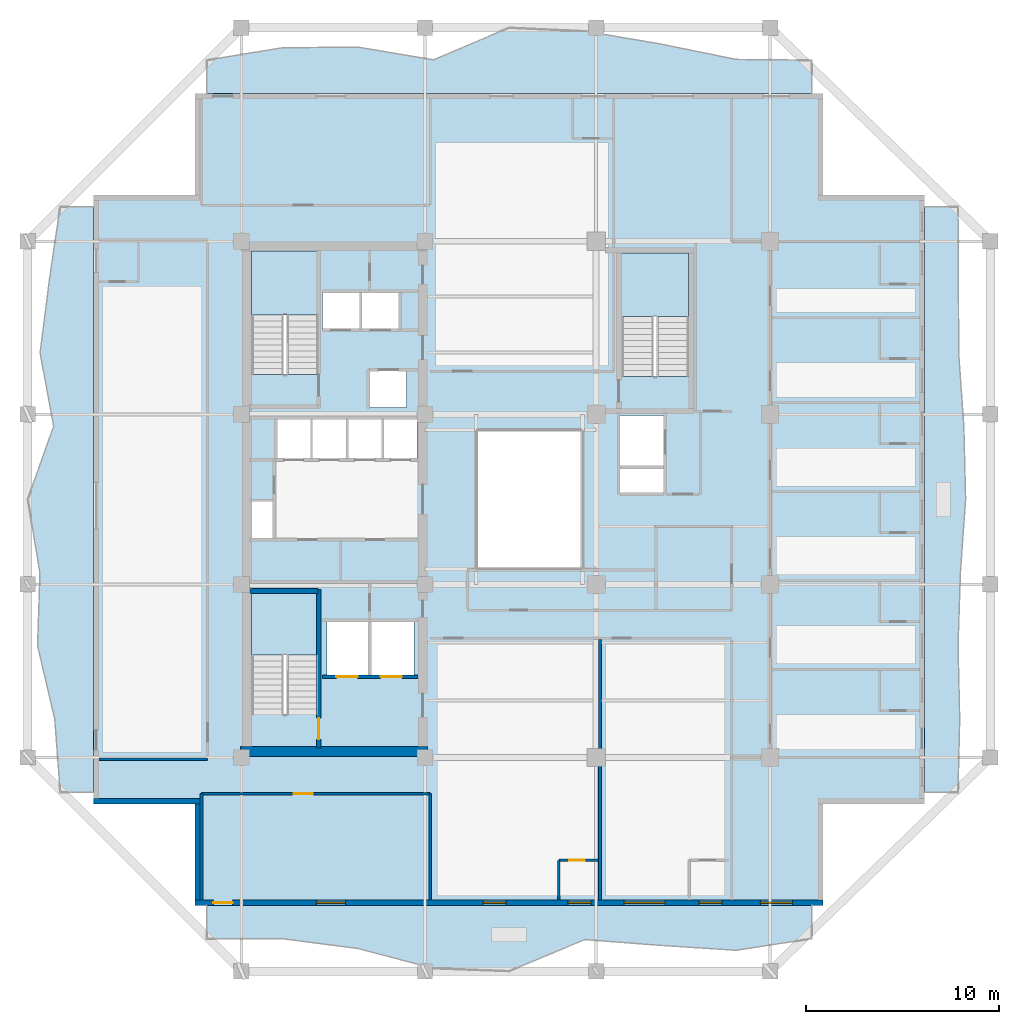
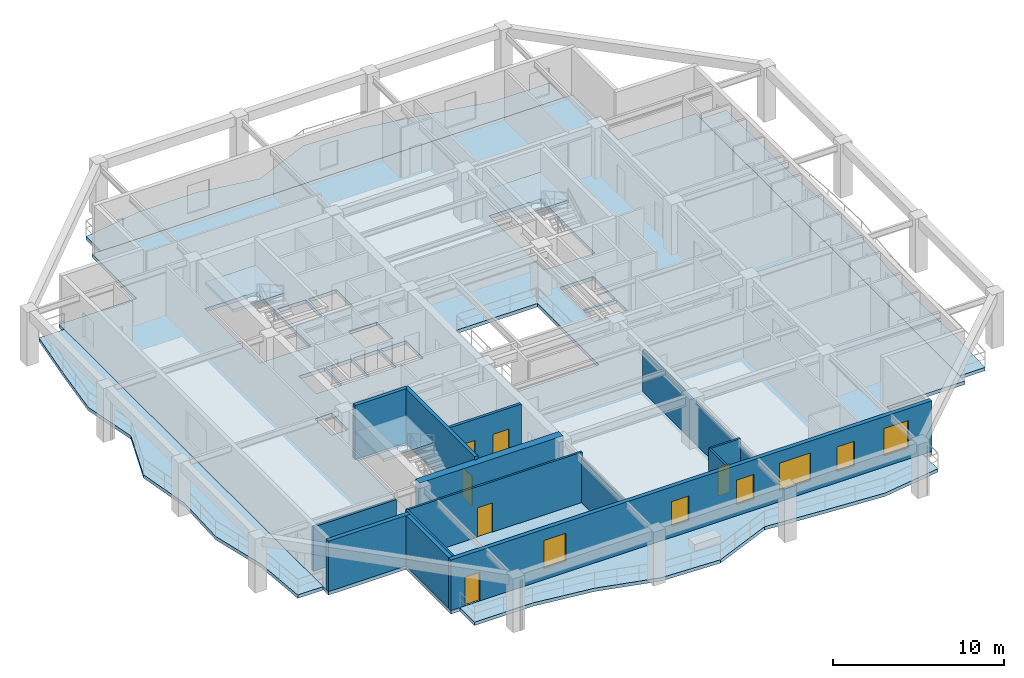
# One storey, part 2 of 13: 14 walls, 8 slabs, 6 doors, 6 windows, 12 openings, 3 elements without a shape of their own.
"""IFC4 building model written with IfcOpenShell, lengths in metres."""

from ifc_helpers import new_model, si_unit, direction, frame, frame_2d, origin, place, context, subcontext, project, spatial, polyline, rectangle, outline, extrude, material, layer, layer_set, type_object, element, fill, aggregate, save


model = new_model("IFC4")

# Units and contexts
model_context = context("Model", 3, precision=1e-05, world=origin(), true_north=direction((0.0, 1.0)))
body_context = subcontext(model_context, "Body", "Model", "MODEL_VIEW")
ifc_project = project(units=[si_unit("LENGTHUNIT", "METRE"), si_unit("AREAUNIT", "SQUARE_METRE"), si_unit("VOLUMEUNIT", "CUBIC_METRE"), si_unit("PLANEANGLEUNIT", "RADIAN"), si_unit("MASSUNIT", "GRAM", prefix="KILO")], contexts=[model_context])

# Site, building, storey
site_placement = place(None, origin())
site = spatial("IfcSite", under=ifc_project, at=site_placement, CompositionType="ELEMENT")
building_placement = place(site_placement, origin())
building = spatial("IfcBuilding", under=site, at=building_placement, Name="Kundavana Baori Tower", CompositionType="ELEMENT")
storey_placement = place(building_placement, frame((0.0, 0.0, 188.699951171875)))
storey = spatial("IfcBuildingStorey", under=building, at=storey_placement, Name="L46", CompositionType="ELEMENT", Elevation=188.699951171875)

# Slab
ifc_material_1 = material(Name="Concrete C40/50", Category="concrete")
ifc_layer_1 = layer(ifc_material_1, 0.25, Name="SLB-FLR-250")
ifc_layer_set_1 = layer_set([ifc_layer_1], Name="Concrete C40/50")
slab_type_1 = type_object("IfcSlabType", Name="SLB-FLR-250", PredefinedType="FLOOR", material=ifc_layer_set_1)
slab_1_placement = place(storey_placement, frame((0.0, 0.0, -0.25)))
element("IfcSlab", 1, at=slab_1_placement, inside=storey, type_object=slab_type_1, Name="L46 Structural Floor Slab", PredefinedType="FLOOR", context=body_context, shape_type="SweptSolid", body=[
    extrude(outline(polyline([(13.050048828125, 7.60009765625), (45.550048828125, 7.60009765625), (45.550048828125, 12.85009765625), (50.800048828125, 12.85009765625), (50.800048828125, 44.35009765625), (45.550048828125, 44.35009765625), (45.550048828125, 49.60009765625), (13.050048828125, 49.60009765625), (13.050048828125, 44.35009765625), (7.800048828125, 44.35009765625), (7.800048828125, 12.85009765625), (13.050048828125, 12.85009765625), (13.050048828125, 7.60009765625)]), holes=[polyline([(19.43994140625, 17.4619140625), (19.43994140625, 23.85009765625), (15.97998046875, 23.85009765625), (15.97998046875, 17.4619140625), (19.43994140625, 17.4619140625)]), polyline([(19.43994140625, 35.06201171875), (19.43994140625, 41.449951171875), (15.97998046875, 41.449951171875), (15.97998046875, 35.06201171875), (19.43994140625, 35.06201171875)]), polyline([(38.580078125, 34.9619140625), (38.580078125, 41.35009765625), (35.1201171875, 41.35009765625), (35.1201171875, 34.9619140625), (38.580078125, 34.9619140625)]), polyline([(17.300048828125, 30.699951171875), (19.02001953125, 30.699951171875), (19.02001953125, 32.75), (17.300048828125, 32.75), (17.300048828125, 30.699951171875)]), polyline([(19.139892578125, 30.699951171875), (20.860107421875, 30.699951171875), (20.860107421875, 32.75), (19.139892578125, 32.75), (19.139892578125, 30.699951171875)]), polyline([(20.97998046875, 30.699951171875), (22.699951171875, 30.699951171875), (22.699951171875, 32.75), (20.97998046875, 32.75), (20.97998046875, 30.699951171875)]), polyline([(22.820068359375, 30.699951171875), (24.5400390625, 30.699951171875), (24.5400390625, 32.75), (22.820068359375, 32.75), (22.820068359375, 30.699951171875)]), polyline([(19.64990234375, 37.39990234375), (21.550048828125, 37.39990234375), (21.550048828125, 39.300048828125), (19.64990234375, 39.300048828125), (19.64990234375, 37.39990234375)]), polyline([(21.699951171875, 37.39990234375), (23.60009765625, 37.39990234375), (23.60009765625, 39.300048828125), (21.699951171875, 39.300048828125), (21.699951171875, 37.39990234375)]), polyline([(22.10009765625, 33.35009765625), (24.0, 33.35009765625), (24.0, 35.25), (22.10009765625, 35.25), (22.10009765625, 33.35009765625)]), polyline([(19.8798828125, 19.5), (22.02001953125, 19.5), (22.02001953125, 22.25), (19.8798828125, 22.25), (19.8798828125, 19.5)]), polyline([(22.179931640625, 19.5), (24.3798828125, 19.5), (24.3798828125, 22.25), (22.179931640625, 22.25), (22.179931640625, 19.5)]), polyline([(35.050048828125, 30.35009765625), (37.300048828125, 30.35009765625), (37.300048828125, 32.949951171875), (35.050048828125, 32.949951171875), (35.050048828125, 30.35009765625)]), polyline([(15.949951171875, 26.60009765625), (17.080078125, 26.60009765625), (17.080078125, 28.5), (15.949951171875, 28.5), (15.949951171875, 26.60009765625)]), polyline([(35.050048828125, 28.949951171875), (37.300048828125, 28.949951171875), (37.300048828125, 30.199951171875), (35.050048828125, 30.199951171875), (35.050048828125, 28.949951171875)]), polyline([(27.60009765625, 25.0), (33.10009765625, 25.0), (33.10009765625, 32.199951171875), (27.60009765625, 32.199951171875), (27.60009765625, 25.0)])]), origin(), (0.0, 0.0, 1.0), 0.25),
])

# Stair, slab
ifc_material_2 = material(Name="Concrete C40/50", Category="concrete")
stair_type = type_object("IfcStairType", Name="STR-DOG-1650", PredefinedType="HALF_TURN_STAIR", material=ifc_material_2)
stair_1_placement = place(storey_placement, origin())
stair_1 = element("IfcStair", 2, at=stair_1_placement, inside=storey, type_object=stair_type, Name="L46 Protected Exit Stair ST1", PredefinedType="HALF_TURN_STAIR")
ifc_material_3 = material(Name="Concrete C40/50", Category="concrete")
ifc_layer_2 = layer(ifc_material_3, 0.199951171875, Name="SLB-LND-200")
ifc_layer_set_2 = layer_set([ifc_layer_2], Name="Concrete C40/50")
slab_type_2 = type_object("IfcSlabType", Name="SLB-LND-200", PredefinedType="LANDING", material=ifc_layer_set_2)
slab_2_placement = place(storey_placement, frame((0.0, 0.0, 1.72509765625)))
slab_2 = element("IfcSlab", 3, at=slab_2_placement, type_object=slab_type_2, Name="ST1 landing 1", PredefinedType="LANDING", context=body_context, shape_type="SweptSolid", body=[
    extrude(outline(polyline([(19.43994140625, 20.550048828125), (19.43994140625, 23.85009765625), (15.97998046875, 23.85009765625), (15.97998046875, 20.550048828125), (19.43994140625, 20.550048828125)])), origin(), (0.0, 0.0, 1.0), 0.199951171875),
])
aggregate(stair_1, [slab_2])

stair_2_placement = place(storey_placement, origin())
stair_2 = element("IfcStair", 4, at=stair_2_placement, inside=storey, type_object=stair_type, Name="L46 Protected Exit Stair ST2", PredefinedType="HALF_TURN_STAIR")
slab_3_placement = place(storey_placement, frame((0.0, 0.0, 1.72509765625)))
slab_3 = element("IfcSlab", 5, at=slab_3_placement, type_object=slab_type_2, Name="ST2 landing 1", PredefinedType="LANDING", context=body_context, shape_type="SweptSolid", body=[
    extrude(outline(polyline([(19.43994140625, 38.14990234375), (19.43994140625, 41.449951171875), (15.97998046875, 41.449951171875), (15.97998046875, 38.14990234375), (19.43994140625, 38.14990234375)])), origin(), (0.0, 0.0, 1.0), 0.199951171875),
])
aggregate(stair_2, [slab_3])

stair_3_placement = place(storey_placement, origin())
stair_3 = element("IfcStair", 6, at=stair_3_placement, inside=storey, type_object=stair_type, Name="L46 Protected Exit Stair ST3", PredefinedType="HALF_TURN_STAIR")
slab_4_placement = place(storey_placement, frame((0.0, 0.0, 1.72509765625)))
slab_4 = element("IfcSlab", 7, at=slab_4_placement, type_object=slab_type_2, Name="ST3 landing 1", PredefinedType="LANDING", context=body_context, shape_type="SweptSolid", body=[
    extrude(outline(polyline([(38.580078125, 38.050048828125), (38.580078125, 41.35009765625), (35.1201171875, 41.35009765625), (35.1201171875, 38.050048828125), (38.580078125, 38.050048828125)])), origin(), (0.0, 0.0, 1.0), 0.199951171875),
])
aggregate(stair_3, [slab_4])

# Slabs
ifc_material_4 = material(Name="Concrete C40/50", Category="concrete")
ifc_layer_3 = layer(ifc_material_4, 0.239990234375, Name="SLB-LOG-240")
ifc_layer_set_3 = layer_set([ifc_layer_3], Name="Concrete C40/50")
slab_type_3 = type_object("IfcSlabType", Name="SLB-LOG-240", PredefinedType="FLOOR", material=ifc_layer_set_3)
slab_5_placement = place(storey_placement, frame((0.0, 0.0, -0.239990234375)))
element("IfcSlab", 8, at=slab_5_placement, inside=storey, type_object=slab_type_3, Name="L46 Planted Loggia Balcony Slab S", PredefinedType="FLOOR", context=body_context, shape_type="SweptSolid", body=[
    extrude(outline(polyline([(13.64990234375, 7.60009765625), (44.949951171875, 7.60009765625), (44.949951171875, 5.8798828125), (41.0380859375, 5.277099609375), (37.125, 5.533935546875), (33.212890625, 5.830078125), (29.300048828125, 4.199951171875), (25.387939453125, 4.345947265625), (21.47509765625, 5.37109375), (17.56201171875, 5.87890625), (13.64990234375, 5.8798828125), (13.64990234375, 7.60009765625)])), origin(), (0.0, 0.0, 1.0), 0.239990234375),
])
slab_6_placement = place(storey_placement, frame((0.0, 0.0, -0.239990234375)))
element("IfcSlab", 9, at=slab_6_placement, inside=storey, type_object=slab_type_3, Name="L46 Planted Loggia Balcony Slab E", PredefinedType="FLOOR", context=body_context, shape_type="SweptSolid", body=[
    extrude(outline(polyline([(50.800048828125, 13.449951171875), (50.800048828125, 43.75), (52.52001953125, 43.75), (52.541015625, 39.9619140625), (52.556884765625, 36.175048828125), (52.822998046875, 32.387939453125), (52.916015625, 28.60009765625), (52.64599609375, 24.81201171875), (52.52392578125, 21.02490234375), (52.610107421875, 17.238037109375), (52.52001953125, 13.449951171875), (50.800048828125, 13.449951171875)])), origin(), (0.0, 0.0, 1.0), 0.239990234375),
])
slab_7_placement = place(storey_placement, frame((0.0, 0.0, -0.239990234375)))
element("IfcSlab", 10, at=slab_7_placement, inside=storey, type_object=slab_type_3, Name="L46 Planted Loggia Balcony Slab N", PredefinedType="FLOOR", context=body_context, shape_type="SweptSolid", body=[
    extrude(outline(polyline([(44.949951171875, 49.60009765625), (13.64990234375, 49.60009765625), (13.64990234375, 51.320068359375), (17.56201171875, 51.9619140625), (21.47509765625, 51.9990234375), (25.387939453125, 51.337890625), (29.300048828125, 53.0), (33.212890625, 52.822998046875), (37.125, 52.162109375), (41.0380859375, 51.360107421875), (44.949951171875, 51.320068359375), (44.949951171875, 49.60009765625)])), origin(), (0.0, 0.0, 1.0), 0.239990234375),
])
slab_8_placement = place(storey_placement, frame((0.0, 0.0, -0.239990234375)))
element("IfcSlab", 11, at=slab_8_placement, inside=storey, type_object=slab_type_3, Name="L46 Planted Loggia Balcony Slab W", PredefinedType="FLOOR", context=body_context, shape_type="SweptSolid", body=[
    extrude(outline(polyline([(7.800048828125, 43.75), (7.800048828125, 13.449951171875), (6.080078125, 13.449951171875), (5.797119140625, 17.238037109375), (4.908935546875, 21.02490234375), (5.031005859375, 24.81201171875), (4.39990234375, 28.60009765625), (5.740966796875, 32.387939453125), (5.0390625, 36.175048828125), (5.52001953125, 39.9619140625), (6.080078125, 43.75), (7.800048828125, 43.75)])), origin(), (0.0, 0.0, 1.0), 0.239990234375),
])

# Wall, opening, door
ifc_material_5 = material(Name="Concrete C50/60", Category="concrete")
ifc_layer_4 = layer(ifc_material_5, 0.39990234375, Name="WL-CORE-400")
ifc_layer_set_4 = layer_set([ifc_layer_4], Name="Concrete C50/60")
wall_type_1 = type_object("IfcWallType", Name="WL-CORE-400", PredefinedType="SHEAR", material=ifc_layer_set_4)
wall_1_placement = place(storey_placement, frame((19.4599609375, 15.739990234375, 0.0), z_axis=(0.0, 0.0, 1.0), x_axis=(0.0, 1.0, 0.0)))
wall_1 = element("IfcWall", 12, at=wall_1_placement, inside=storey, type_object=wall_type_1, Name="WL-L46-ST1-E", PredefinedType="SHEAR", context=body_context, shape_type="SweptSolid", body=[
    extrude(rectangle(XDim=8.199951171875, YDim=0.239990234375, at=frame_2d((4.10009765625, 0.0))), origin(), (0.0, 0.0, 1.0), 3.85009765625),
])
opening_1_placement = place(wall_1_placement, frame((0.449951171875, 0.0, 0.0)))
opening_1 = element("IfcOpeningElement", 13, at=opening_1_placement, cuts=wall_1, Name="Opening FD-110", PredefinedType="OPENING", context=body_context, shape_type="SweptSolid", body=[
    extrude(rectangle(XDim=1.10009765625, YDim=2.10009765625, at=frame_2d((0.550048828125, 1.050048828125))), frame((0.0, 0.1298828125, 0.0), z_axis=(0.0, -1.0, 0.0), x_axis=(1.0, 0.0, 0.0)), (0.0, 0.0, 1.0), 0.260009765625),
])
ifc_material_6 = material(Name="Galvanised Steel Fire-Rated Door Leaf", Category="steel")
door_type_1 = type_object("IfcDoorType", Name="DR-FD120-1100", OperationType="NOTDEFINED", PredefinedType="DOOR", material=ifc_material_6)
door_1_placement = place(opening_1_placement, origin())
door_1 = element("IfcDoor", 14, at=door_1_placement, inside=storey, type_object=door_type_1, Name="DR-L46-ST1", OperationType="SINGLE_SWING_LEFT", OverallHeight=2.10009765625, OverallWidth=1.10009765625, PredefinedType="DOOR", context=body_context, shape_type="SweptSolid", body=[
    extrude(rectangle(XDim=1.10009765625, YDim=2.10009765625, at=frame_2d((0.550048828125, 1.050048828125))), frame((0.0, 0.02490234375, 0.0), z_axis=(0.0, -1.0, 0.0), x_axis=(1.0, 0.0, 0.0)), (0.0, 0.0, 1.0), 0.050048828125),
])
fill(opening_1, door_1)

# Walls
wall_2_placement = place(storey_placement, frame((15.89990234375, 23.860107421875, 0.0), z_axis=(0.0, 0.0, 1.0), x_axis=(1.0, 0.0, 0.0)))
element("IfcWall", 15, at=wall_2_placement, inside=storey, type_object=wall_type_1, Name="WL-L46-ST1-N", PredefinedType="SHEAR", context=body_context, shape_type="SweptSolid", body=[
    extrude(rectangle(XDim=3.52001953125, YDim=0.239990234375, at=frame_2d((1.760009765625, 0.0))), origin(), (0.0, 0.0, 1.0), 3.85009765625),
])
ifc_material_7 = material(Name="Concrete C50/60", Category="concrete")
ifc_layer_5 = layer(ifc_material_7, 0.5, Name="WL-CORE-500")
ifc_layer_set_5 = layer_set([ifc_layer_5], Name="Concrete C50/60")
wall_type_2 = type_object("IfcWallType", Name="WL-CORE-500", PredefinedType="SHEAR", material=ifc_layer_set_5)
wall_3_placement = place(storey_placement, frame((15.39990234375, 15.56005859375, 0.0), z_axis=(0.0, 0.0, 1.0), x_axis=(1.0, 0.0, 0.0)))
element("IfcWall", 16, at=wall_3_placement, inside=storey, type_object=wall_type_2, Name="L46 Offset Core South Shear Wall", PredefinedType="SHEAR", context=body_context, shape_type="SweptSolid", body=[
    extrude(rectangle(XDim=9.68017578125, YDim=0.5, at=frame_2d((4.840087890625, 0.0))), origin(), (0.0, 0.0, 1.0), 3.60009765625),
])

# Wall, openings, door, windows
ifc_material_8 = material(Name="Red-Buff Dholpur Sandstone Cladding on Concrete C40/50", Category="masonry")
ifc_layer_6 = layer(ifc_material_8, 0.280029296875, Name="WL-EXT-SAND-280")
ifc_layer_set_6 = layer_set([ifc_layer_6], Name="Red-Buff Dholpur Sandstone Cladding on Concrete C40/50")
wall_type_3 = type_object("IfcWallType", Name="WL-EXT-SAND-280", PredefinedType="STANDARD", material=ifc_layer_set_6)
wall_4_placement = place(storey_placement, frame((13.050048828125, 7.739990234375, 0.0), z_axis=(0.0, 0.0, 1.0), x_axis=(1.0, 0.0, 0.0)))
wall_4 = element("IfcWall", 17, at=wall_4_placement, inside=storey, type_object=wall_type_3, Name="L46 Exterior Insulated Facade Wall 01", PredefinedType="STANDARD", context=body_context, shape_type="SweptSolid", body=[
    extrude(rectangle(XDim=32.5, YDim=0.280029296875, at=frame_2d((16.25, 0.0))), origin(), (0.0, 0.0, 1.0), 3.60009765625),
])
opening_2_placement = place(wall_4_placement, frame((0.949951171875, 0.0, 0.0)))
opening_2 = element("IfcOpeningElement", 18, at=opening_2_placement, cuts=wall_4, Name="Opening BD-1", PredefinedType="OPENING", context=body_context, shape_type="SweptSolid", body=[
    extrude(rectangle(XDim=1.0, YDim=2.050048828125, at=frame_2d((0.5, 1.02490234375))), frame((0.0, 0.14990234375, 0.0), z_axis=(0.0, -1.0, 0.0), x_axis=(1.0, 0.0, 0.0)), (0.0, 0.0, 1.0), 0.300048828125),
])
opening_3_placement = place(wall_4_placement, frame((6.280029296875, 0.0, 0.800048828125)))
opening_3 = element("IfcOpeningElement", 19, at=opening_3_placement, cuts=wall_4, Name="Opening W-02", PredefinedType="OPENING", context=body_context, shape_type="SweptSolid", body=[
    extrude(rectangle(XDim=1.5, YDim=2.0, at=frame_2d((0.75, 1.0))), frame((0.0, 0.14990234375, 0.0), z_axis=(0.0, -1.0, 0.0), x_axis=(1.0, 0.0, 0.0)), (0.0, 0.0, 1.0), 0.300048828125),
])
opening_4_placement = place(wall_4_placement, frame((14.89501953125, 0.0, 0.800048828125)))
opening_4 = element("IfcOpeningElement", 20, at=opening_4_placement, cuts=wall_4, Name="Opening W-03", PredefinedType="OPENING", context=body_context, shape_type="SweptSolid", body=[
    extrude(rectangle(XDim=1.199951171875, YDim=1.75, at=frame_2d((0.60009765625, 0.875))), frame((0.0, 0.14990234375, 0.0), z_axis=(0.0, -1.0, 0.0), x_axis=(1.0, 0.0, 0.0)), (0.0, 0.0, 1.0), 0.300048828125),
])
opening_5_placement = place(wall_4_placement, frame((19.284912109375, 0.0, 0.800048828125)))
opening_5 = element("IfcOpeningElement", 21, at=opening_5_placement, cuts=wall_4, Name="Opening W-03", PredefinedType="OPENING", context=body_context, shape_type="SweptSolid", body=[
    extrude(rectangle(XDim=1.199951171875, YDim=1.75, at=frame_2d((0.60009765625, 0.875))), frame((0.0, 0.14990234375, 0.0), z_axis=(0.0, -1.0, 0.0), x_axis=(1.0, 0.0, 0.0)), (0.0, 0.0, 1.0), 0.300048828125),
])
opening_6_placement = place(wall_4_placement, frame((22.205078125, 0.0, 0.800048828125)))
opening_6 = element("IfcOpeningElement", 22, at=opening_6_placement, cuts=wall_4, Name="Opening W-05", PredefinedType="OPENING", context=body_context, shape_type="SweptSolid", body=[
    extrude(rectangle(XDim=2.10009765625, YDim=1.949951171875, at=frame_2d((1.050048828125, 0.97509765625))), frame((0.0, 0.14990234375, 0.0), z_axis=(0.0, -1.0, 0.0), x_axis=(1.0, 0.0, 0.0)), (0.0, 0.0, 1.0), 0.300048828125),
])
opening_7_placement = place(wall_4_placement, frame((26.06494140625, 0.0, 0.800048828125)))
opening_7 = element("IfcOpeningElement", 23, at=opening_7_placement, cuts=wall_4, Name="Opening W-03", PredefinedType="OPENING", context=body_context, shape_type="SweptSolid", body=[
    extrude(rectangle(XDim=1.199951171875, YDim=1.75, at=frame_2d((0.60009765625, 0.875))), frame((0.0, 0.14990234375, 0.0), z_axis=(0.0, -1.0, 0.0), x_axis=(1.0, 0.0, 0.0)), (0.0, 0.0, 1.0), 0.300048828125),
])
opening_8_placement = place(wall_4_placement, frame((29.2548828125, 0.0, 0.800048828125)))
opening_8 = element("IfcOpeningElement", 24, at=opening_8_placement, cuts=wall_4, Name="Opening W-08", PredefinedType="OPENING", context=body_context, shape_type="SweptSolid", body=[
    extrude(rectangle(XDim=1.64990234375, YDim=1.949951171875, at=frame_2d((0.824951171875, 0.97509765625))), frame((0.0, 0.14990234375, 0.0), z_axis=(0.0, -1.0, 0.0), x_axis=(1.0, 0.0, 0.0)), (0.0, 0.0, 1.0), 0.300048828125),
])
ifc_material_9 = material(Name="Architectural Patinated Bronze Metalwork")
door_type_2 = type_object("IfcDoorType", Name="DR-EXT-LOG-1000", OperationType="NOTDEFINED", PredefinedType="DOOR", material=ifc_material_9)
door_2_placement = place(opening_2_placement, frame((1.0, 0.0, 0.0), z_axis=(0.0, 0.0, 1.0), x_axis=(-1.0, 0.0, 0.0)))
door_2 = element("IfcDoor", 25, at=door_2_placement, inside=storey, type_object=door_type_2, Name="L46 Loggia Balcony Access Door S", OperationType="SINGLE_SWING_LEFT", OverallHeight=2.050048828125, OverallWidth=1.0, PredefinedType="DOOR", context=body_context, shape_type="SweptSolid", body=[
    extrude(rectangle(XDim=1.0, YDim=2.050048828125, at=frame_2d((0.5, 1.02490234375))), frame((0.0, 0.02490234375, 0.0), z_axis=(0.0, -1.0, 0.0), x_axis=(1.0, 0.0, 0.0)), (0.0, 0.0, 1.0), 0.050048828125),
])
fill(opening_2, door_2)
ifc_material_10 = material(Name="Double-Glazed Solar-Control Low-E Insulated Glass", Category="glass")
window_type_1 = type_object("IfcWindowType", Name="WIN-LOG-1200x1750", PartitioningType="SINGLE_PANEL", PredefinedType="WINDOW", material=ifc_material_10)
window_1_placement = place(opening_4_placement, origin())
window_1 = element("IfcWindow", 26, at=window_1_placement, inside=storey, type_object=window_type_1, Name="L46 Recessed Loggia Window S-2", OverallHeight=1.75, OverallWidth=1.199951171875, PartitioningType="SINGLE_PANEL", PredefinedType="WINDOW", context=body_context, shape_type="SweptSolid", body=[
    extrude(rectangle(XDim=1.199951171875, YDim=1.75, at=frame_2d((0.60009765625, 0.875))), frame((0.0, 0.030029296875, 0.0), z_axis=(0.0, -1.0, 0.0), x_axis=(1.0, 0.0, 0.0)), (0.0, 0.0, 1.0), 0.06005859375),
])
fill(opening_4, window_1)
window_2_placement = place(opening_5_placement, origin())
window_2 = element("IfcWindow", 27, at=window_2_placement, inside=storey, type_object=window_type_1, Name="L46 Recessed Loggia Window S-3", OverallHeight=1.75, OverallWidth=1.199951171875, PartitioningType="SINGLE_PANEL", PredefinedType="WINDOW", context=body_context, shape_type="SweptSolid", body=[
    extrude(rectangle(XDim=1.199951171875, YDim=1.75, at=frame_2d((0.60009765625, 0.875))), frame((0.0, 0.030029296875, 0.0), z_axis=(0.0, -1.0, 0.0), x_axis=(1.0, 0.0, 0.0)), (0.0, 0.0, 1.0), 0.06005859375),
])
fill(opening_5, window_2)
window_3_placement = place(opening_7_placement, origin())
window_3 = element("IfcWindow", 28, at=window_3_placement, inside=storey, type_object=window_type_1, Name="L46 Recessed Loggia Window S-5", OverallHeight=1.75, OverallWidth=1.199951171875, PartitioningType="SINGLE_PANEL", PredefinedType="WINDOW", context=body_context, shape_type="SweptSolid", body=[
    extrude(rectangle(XDim=1.199951171875, YDim=1.75, at=frame_2d((0.60009765625, 0.875))), frame((0.0, 0.030029296875, 0.0), z_axis=(0.0, -1.0, 0.0), x_axis=(1.0, 0.0, 0.0)), (0.0, 0.0, 1.0), 0.06005859375),
])
fill(opening_7, window_3)
ifc_material_11 = material(Name="Double-Glazed Solar-Control Low-E Insulated Glass", Category="glass")
window_type_2 = type_object("IfcWindowType", Name="WIN-LOG-1500x2000", PartitioningType="SINGLE_PANEL", PredefinedType="WINDOW", material=ifc_material_11)
window_4_placement = place(opening_3_placement, origin())
window_4 = element("IfcWindow", 29, at=window_4_placement, inside=storey, type_object=window_type_2, Name="L46 Recessed Loggia Window S-1", OverallHeight=2.0, OverallWidth=1.5, PartitioningType="SINGLE_PANEL", PredefinedType="WINDOW", context=body_context, shape_type="SweptSolid", body=[
    extrude(rectangle(XDim=1.5, YDim=2.0, at=frame_2d((0.75, 1.0))), frame((0.0, 0.030029296875, 0.0), z_axis=(0.0, -1.0, 0.0), x_axis=(1.0, 0.0, 0.0)), (0.0, 0.0, 1.0), 0.06005859375),
])
fill(opening_3, window_4)
ifc_material_12 = material(Name="Double-Glazed Solar-Control Low-E Insulated Glass", Category="glass")
window_type_3 = type_object("IfcWindowType", Name="WIN-LOG-1650x1950", PartitioningType="SINGLE_PANEL", PredefinedType="WINDOW", material=ifc_material_12)
window_5_placement = place(opening_8_placement, origin())
window_5 = element("IfcWindow", 30, at=window_5_placement, inside=storey, type_object=window_type_3, Name="L46 Recessed Loggia Window S-6", OverallHeight=1.949951171875, OverallWidth=1.64990234375, PartitioningType="SINGLE_PANEL", PredefinedType="WINDOW", context=body_context, shape_type="SweptSolid", body=[
    extrude(rectangle(XDim=1.64990234375, YDim=1.949951171875, at=frame_2d((0.824951171875, 0.97509765625))), frame((0.0, 0.030029296875, 0.0), z_axis=(0.0, -1.0, 0.0), x_axis=(1.0, 0.0, 0.0)), (0.0, 0.0, 1.0), 0.06005859375),
])
fill(opening_8, window_5)
ifc_material_13 = material(Name="Double-Glazed Solar-Control Low-E Insulated Glass", Category="glass")
window_type_4 = type_object("IfcWindowType", Name="WIN-LOG-2100x1950", PartitioningType="SINGLE_PANEL", PredefinedType="WINDOW", material=ifc_material_13)
window_6_placement = place(opening_6_placement, origin())
window_6 = element("IfcWindow", 31, at=window_6_placement, inside=storey, type_object=window_type_4, Name="L46 Recessed Loggia Window S-4", OverallHeight=1.949951171875, OverallWidth=2.10009765625, PartitioningType="SINGLE_PANEL", PredefinedType="WINDOW", context=body_context, shape_type="SweptSolid", body=[
    extrude(rectangle(XDim=2.10009765625, YDim=1.949951171875, at=frame_2d((1.050048828125, 0.97509765625))), frame((0.0, 0.030029296875, 0.0), z_axis=(0.0, -1.0, 0.0), x_axis=(1.0, 0.0, 0.0)), (0.0, 0.0, 1.0), 0.06005859375),
])
fill(opening_6, window_6)

# Walls
wall_5_placement = place(storey_placement, frame((7.800048828125, 12.989990234375, 0.0), z_axis=(0.0, 0.0, 1.0), x_axis=(1.0, 0.0, 0.0)))
element("IfcWall", 32, at=wall_5_placement, inside=storey, type_object=wall_type_3, Name="L46 Exterior Insulated Facade Wall 11", PredefinedType="STANDARD", context=body_context, shape_type="SweptSolid", body=[
    extrude(rectangle(XDim=5.530029296875, YDim=0.280029296875, at=frame_2d((2.76513671875, 0.0))), origin(), (0.0, 0.0, 1.0), 3.60009765625),
])
wall_6_placement = place(storey_placement, frame((13.18994140625, 12.85009765625, 0.0), z_axis=(0.0, 0.0, 1.0), x_axis=(0.0, -1.0, 0.0)))
element("IfcWall", 33, at=wall_6_placement, inside=storey, type_object=wall_type_3, Name="L46 Exterior Insulated Facade Wall 12", PredefinedType="STANDARD", context=body_context, shape_type="SweptSolid", body=[
    extrude(rectangle(XDim=4.97021484375, YDim=0.280029296875, at=frame_2d((2.485107421875, 0.0))), origin(), (0.0, 0.0, 1.0), 3.60009765625),
])
ifc_material_14 = material(Name="Acoustic Gypsum Plasterboard on Galvanised Steel Studs", Category="steel")
ifc_layer_7 = layer(ifc_material_14, 0.135009765625, Name="WL-PART-135")
ifc_layer_set_7 = layer_set([ifc_layer_7], Name="Acoustic Gypsum Plasterboard on Galvanised Steel Studs")
wall_type_4 = type_object("IfcWallType", Name="WL-PART-135", PredefinedType="PARTITIONING", material=ifc_layer_set_7)
wall_7_placement = place(storey_placement, frame((8.080078125, 15.159912109375, 0.0), z_axis=(0.0, 0.0, 1.0), x_axis=(1.0, 0.0, 0.0)))
element("IfcWall", 34, at=wall_7_placement, inside=storey, type_object=wall_type_4, Name="WL-L46-HWS", PredefinedType="PARTITIONING", context=body_context, shape_type="SweptSolid", body=[
    extrude(rectangle(XDim=5.619873046875, YDim=0.135009765625, at=frame_2d((2.81005859375, 0.0))), origin(), (0.0, 0.0, 1.0), 3.150146484375),
])

# Wall, opening, door
wall_8_placement = place(storey_placement, frame((13.389892578125, 13.3798828125, 0.0), z_axis=(0.0, 0.0, 1.0), x_axis=(1.0, 0.0, 0.0)))
wall_8 = element("IfcWall", 35, at=wall_8_placement, inside=storey, type_object=wall_type_4, Name="WL-L46-HSC", PredefinedType="PARTITIONING", context=body_context, shape_type="SweptSolid", body=[
    extrude(rectangle(XDim=11.830078125, YDim=0.135009765625, at=frame_2d((5.9150390625, 0.0))), origin(), (0.0, 0.0, 1.0), 3.60009765625),
])
opening_9_placement = place(wall_8_placement, frame((4.760009765625, 0.0, 0.0)))
opening_9 = element("IfcOpeningElement", 36, at=opening_9_placement, cuts=wall_8, Name="Opening ID-100", PredefinedType="OPENING", context=body_context, shape_type="SweptSolid", body=[
    extrude(rectangle(XDim=1.0, YDim=2.080078125, at=frame_2d((0.5, 1.0400390625))), frame((0.0, 0.07763671875, 0.0), z_axis=(0.0, -1.0, 0.0), x_axis=(1.0, 0.0, 0.0)), (0.0, 0.0, 1.0), 0.155029296875),
])
ifc_material_15 = material(Name="Engineered Teak Solid-Core Timber Veneer", Category="wood")
door_type_3 = type_object("IfcDoorType", Name="DR-INT-1000", OperationType="NOTDEFINED", PredefinedType="DOOR", material=ifc_material_15)
door_3_placement = place(opening_9_placement, frame((1.0, 0.0, 0.0), z_axis=(0.0, 0.0, 1.0), x_axis=(-1.0, 0.0, 0.0)))
door_3 = element("IfcDoor", 37, at=door_3_placement, inside=storey, type_object=door_type_3, Name="DR-L46-HMSW", OperationType="SINGLE_SWING_LEFT", OverallHeight=2.080078125, OverallWidth=1.0, PredefinedType="DOOR", context=body_context, shape_type="SweptSolid", body=[
    extrude(rectangle(XDim=1.0, YDim=2.080078125, at=frame_2d((0.5, 1.0400390625))), frame((0.0, 0.02490234375, 0.0), z_axis=(0.0, -1.0, 0.0), x_axis=(1.0, 0.0, 0.0)), (0.0, 0.0, 1.0), 0.050048828125),
])
fill(opening_9, door_3)

# Walls
wall_9_placement = place(storey_placement, frame((13.389892578125, 7.8798828125, 0.0), z_axis=(0.0, 0.0, 1.0), x_axis=(0.0, 1.0, 0.0)))
element("IfcWall", 38, at=wall_9_placement, inside=storey, type_object=wall_type_4, Name="WL-L46-HSCW", PredefinedType="PARTITIONING", context=body_context, shape_type="SweptSolid", body=[
    extrude(rectangle(XDim=5.5, YDim=0.135009765625, at=frame_2d((2.75, 0.0))), origin(), (0.0, 0.0, 1.0), 3.60009765625),
])
wall_10_placement = place(storey_placement, frame((25.219970703125, 7.8798828125, 0.0), z_axis=(0.0, 0.0, 1.0), x_axis=(0.0, 1.0, 0.0)))
element("IfcWall", 39, at=wall_10_placement, inside=storey, type_object=wall_type_4, Name="WL-L46-HSCE", PredefinedType="PARTITIONING", context=body_context, shape_type="SweptSolid", body=[
    extrude(rectangle(XDim=5.5, YDim=0.135009765625, at=frame_2d((2.75, 0.0))), origin(), (0.0, 0.0, 1.0), 3.150146484375),
])
wall_11_placement = place(storey_placement, frame((34.0, 7.8798828125, 0.0), z_axis=(0.0, 0.0, 1.0), x_axis=(0.0, 1.0, 0.0)))
element("IfcWall", 40, at=wall_11_placement, inside=storey, type_object=wall_type_4, Name="WL-L46-HSD1", PredefinedType="PARTITIONING", context=body_context, shape_type="SweptSolid", body=[
    extrude(rectangle(XDim=13.480224609375, YDim=0.135009765625, at=frame_2d((6.740234375, 0.0))), origin(), (0.0, 0.0, 1.0), 2.949951171875),
])

# Wall, openings, doors
ifc_material_16 = material(Name="Autoclaved Aerated Concrete Blockwork Masonry", Category="masonry")
ifc_layer_8 = layer(ifc_material_16, 0.179931640625, Name="WL-SHAFT-180")
ifc_layer_set_8 = layer_set([ifc_layer_8], Name="Autoclaved Aerated Concrete Blockwork Masonry")
wall_type_5 = type_object("IfcWallType", Name="WL-SHAFT-180", PredefinedType="SOLIDWALL", material=ifc_layer_set_8)
wall_12_placement = place(storey_placement, frame((19.639892578125, 19.419921875, 0.0), z_axis=(0.0, 0.0, 1.0), x_axis=(1.0, 0.0, 0.0)))
wall_12 = element("IfcWall", 41, at=wall_12_placement, inside=storey, type_object=wall_type_5, Name="WL-L46-FFL-S", PredefinedType="SOLIDWALL", context=body_context, shape_type="SweptSolid", body=[
    extrude(rectangle(XDim=4.940185546875, YDim=0.179931640625, at=frame_2d((2.47021484375, 0.0))), origin(), (0.0, 0.0, 1.0), 3.60009765625),
])
opening_10_placement = place(wall_12_placement, frame((0.719970703125, 0.0, 0.0)))
opening_10 = element("IfcOpeningElement", 42, at=opening_10_placement, cuts=wall_12, Name="Opening LD-110", PredefinedType="OPENING", context=body_context, shape_type="SweptSolid", body=[
    extrude(rectangle(XDim=1.10009765625, YDim=2.10009765625, at=frame_2d((0.550048828125, 1.050048828125))), frame((0.0, 0.10009765625, 0.0), z_axis=(0.0, -1.0, 0.0), x_axis=(1.0, 0.0, 0.0)), (0.0, 0.0, 1.0), 0.199951171875),
])
opening_11_placement = place(wall_12_placement, frame((3.02001953125, 0.0, 0.0)))
opening_11 = element("IfcOpeningElement", 43, at=opening_11_placement, cuts=wall_12, Name="Opening LD-110", PredefinedType="OPENING", context=body_context, shape_type="SweptSolid", body=[
    extrude(rectangle(XDim=1.10009765625, YDim=2.10009765625, at=frame_2d((0.550048828125, 1.050048828125))), frame((0.0, 0.10009765625, 0.0), z_axis=(0.0, -1.0, 0.0), x_axis=(1.0, 0.0, 0.0)), (0.0, 0.0, 1.0), 0.199951171875),
])
ifc_material_17 = material(Name="Galvanised Steel Fire-Rated Door Leaf", Category="steel")
door_type_4 = type_object("IfcDoorType", Name="DR-SLIDE-LD1100", OperationType="NOTDEFINED", PredefinedType="DOOR", material=ifc_material_17)
door_4_placement = place(opening_10_placement, origin())
door_4 = element("IfcDoor", 44, at=door_4_placement, inside=storey, type_object=door_type_4, Name="DR-L46-LD-FFL-1", OperationType="DOUBLE_DOOR_SLIDING", OverallHeight=2.10009765625, OverallWidth=1.10009765625, PredefinedType="DOOR", context=body_context, shape_type="SweptSolid", body=[
    extrude(rectangle(XDim=1.10009765625, YDim=2.10009765625, at=frame_2d((0.550048828125, 1.050048828125))), frame((0.0, 0.02490234375, 0.0), z_axis=(0.0, -1.0, 0.0), x_axis=(1.0, 0.0, 0.0)), (0.0, 0.0, 1.0), 0.050048828125),
])
fill(opening_10, door_4)
door_5_placement = place(opening_11_placement, origin())
door_5 = element("IfcDoor", 45, at=door_5_placement, inside=storey, type_object=door_type_4, Name="DR-L46-LD-FFL-2", OperationType="DOUBLE_DOOR_SLIDING", OverallHeight=2.10009765625, OverallWidth=1.10009765625, PredefinedType="DOOR", context=body_context, shape_type="SweptSolid", body=[
    extrude(rectangle(XDim=1.10009765625, YDim=2.10009765625, at=frame_2d((0.550048828125, 1.050048828125))), frame((0.0, 0.02490234375, 0.0), z_axis=(0.0, -1.0, 0.0), x_axis=(1.0, 0.0, 0.0)), (0.0, 0.0, 1.0), 0.050048828125),
])
fill(opening_11, door_5)

# Wall
ifc_material_18 = material(Name="Autoclaved Aerated Concrete Blockwork Masonry", Category="masonry")
ifc_layer_9 = layer(ifc_material_18, 0.125, Name="WL-WET-120")
ifc_layer_set_9 = layer_set([ifc_layer_9], Name="Autoclaved Aerated Concrete Blockwork Masonry")
wall_type_6 = type_object("IfcWallType", Name="WL-WET-120", PredefinedType="PLUMBINGWALL", material=ifc_layer_set_9)
wall_13_placement = place(storey_placement, frame((31.8701171875, 7.8798828125, 0.0), z_axis=(0.0, 0.0, 1.0), x_axis=(0.0, 1.0, 0.0)))
element("IfcWall", 46, at=wall_13_placement, inside=storey, type_object=wall_type_6, Name="WL-L46-HK-S1-BW", PredefinedType="PLUMBINGWALL", context=body_context, shape_type="SweptSolid", body=[
    extrude(rectangle(XDim=2.050048828125, YDim=0.125, at=frame_2d((1.02490234375, 0.0))), origin(), (0.0, 0.0, 1.0), 3.60009765625),
])

# Wall, opening, door
wall_14_placement = place(storey_placement, frame((31.8701171875, 9.929931640625, 0.0), z_axis=(0.0, 0.0, 1.0), x_axis=(1.0, 0.0, 0.0)))
wall_14 = element("IfcWall", 47, at=wall_14_placement, inside=storey, type_object=wall_type_6, Name="WL-L46-HK-S1-BN", PredefinedType="PLUMBINGWALL", context=body_context, shape_type="SweptSolid", body=[
    extrude(rectangle(XDim=2.0498046875, YDim=0.125, at=frame_2d((1.02490234375, 0.0))), origin(), (0.0, 0.0, 1.0), 3.60009765625),
])
opening_12_placement = place(wall_14_placement, frame((0.550048828125, 0.0, 0.0)))
opening_12 = element("IfcOpeningElement", 48, at=opening_12_placement, cuts=wall_14, Name="Opening WD-080", PredefinedType="OPENING", context=body_context, shape_type="SweptSolid", body=[
    extrude(rectangle(XDim=0.800048828125, YDim=2.050048828125, at=frame_2d((0.39990234375, 1.02490234375))), frame((0.0, 0.072509765625, 0.0), z_axis=(0.0, -1.0, 0.0), x_axis=(1.0, 0.0, 0.0)), (0.0, 0.0, 1.0), 0.14501953125),
])
ifc_material_19 = material(Name="Engineered Teak Solid-Core Timber Veneer", Category="wood")
door_type_5 = type_object("IfcDoorType", Name="DR-WET-800", OperationType="NOTDEFINED", PredefinedType="DOOR", material=ifc_material_19)
door_6_placement = place(opening_12_placement, origin())
door_6 = element("IfcDoor", 49, at=door_6_placement, inside=storey, type_object=door_type_5, Name="DR-L46-HK-S1-ENS", OperationType="SINGLE_SWING_LEFT", OverallHeight=2.050048828125, OverallWidth=0.800048828125, PredefinedType="DOOR", context=body_context, shape_type="SweptSolid", body=[
    extrude(rectangle(XDim=0.800048828125, YDim=2.050048828125, at=frame_2d((0.39990234375, 1.02490234375))), frame((0.0, 0.02490234375, 0.0), z_axis=(0.0, -1.0, 0.0), x_axis=(1.0, 0.0, 0.0)), (0.0, 0.0, 1.0), 0.050048828125),
])
fill(opening_12, door_6)

save(model, "model.ifc")
